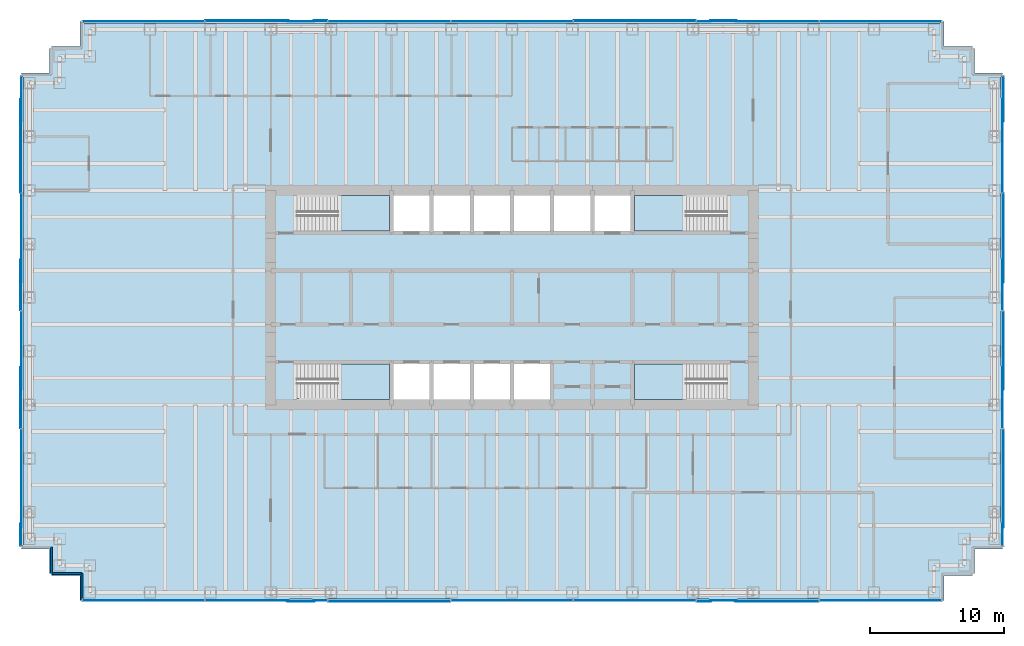
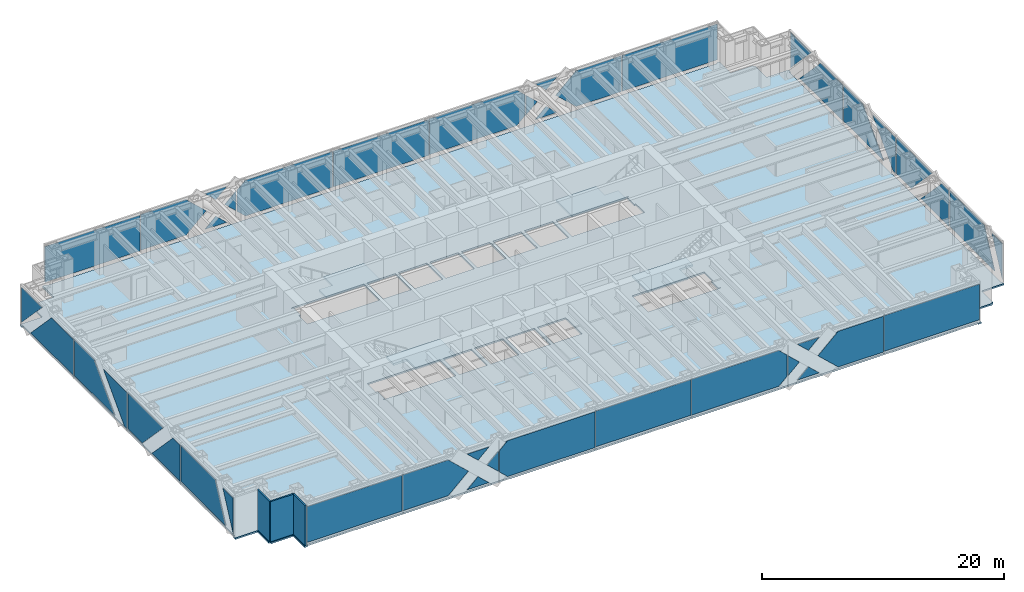
# One storey, part 9 of 15: 42 plates, 5 slabs, 3 walls, 8 elements without a shape of their own.
"""IFC4 building model written with IfcOpenShell, lengths in metres."""

from ifc_helpers import new_model, si_unit, direction, frame, frame_2d, origin, origin_2d, place, context, subcontext, project, spatial, polyline, rectangle, outline, extrude, material, layer, layer_set, type_object, element, aggregate, save


model = new_model("IFC4")

# Units and contexts
model_context = context("Model", 3, precision=1e-05, world=origin(), true_north=direction((0.0, 1.0)))
body_context = subcontext(model_context, "Body", "Model", "MODEL_VIEW")
ifc_project = project(units=[si_unit("LENGTHUNIT", "METRE"), si_unit("AREAUNIT", "SQUARE_METRE"), si_unit("VOLUMEUNIT", "CUBIC_METRE"), si_unit("PLANEANGLEUNIT", "RADIAN"), si_unit("MASSUNIT", "GRAM", prefix="KILO")], contexts=[model_context])

# Site, building, storey
site_placement = place(None, origin())
site = spatial("IfcSite", under=ifc_project, at=site_placement, CompositionType="ELEMENT")
building_placement = place(site_placement, origin())
building = spatial("IfcBuilding", under=site, at=building_placement, Name="Rheinbord Bourse Tower", CompositionType="ELEMENT")
storey_placement = place(building_placement, frame((0.0, 0.0, 257.199951171875)))
storey = spatial("IfcBuildingStorey", under=building, at=storey_placement, Name="L58", CompositionType="ELEMENT", Elevation=257.199951171875)

# Slab
ifc_material_1 = material(Name="Concrete C30/37", Category="concrete")
ifc_layer_1 = layer(ifc_material_1, 0.159912109375)
ifc_layer_set_1 = layer_set([ifc_layer_1], Name="COMPOSITE FLOOR SLAB 160")
slab_type_1 = type_object("IfcSlabType", Name="COMPOSITE FLOOR SLAB 160", PredefinedType="FLOOR", material=ifc_layer_set_1)
slab_1_placement = place(storey_placement, frame((0.0, 0.0, -0.159912109375)))
element("IfcSlab", 1, at=slab_1_placement, inside=storey, type_object=slab_type_1, Name="Floor slab L58", PredefinedType="FLOOR", context=body_context, shape_type="SweptSolid", body=[
    extrude(outline(polyline([(1.64990234375, 3.39990234375), (1.5, 3.39990234375), (1.5, 5.25), (-0.60009765625, 5.25), (-0.60009765625, 5.550048828125), (-0.5, 5.550048828125), (-0.5, 40.449951171875), (-0.60009765625, 40.449951171875), (-0.60009765625, 40.75), (1.5, 40.75), (1.5, 42.60009765625), (1.64990234375, 42.60009765625), (1.64990234375, 42.75), (3.75, 42.75), (3.75, 44.60009765625), (4.050048828125, 44.60009765625), (4.050048828125, 44.5), (67.949951171875, 44.5), (67.949951171875, 44.60009765625), (68.25, 44.60009765625), (68.25, 42.75), (70.35009765625, 42.75), (70.35009765625, 42.60009765625), (70.5, 42.60009765625), (70.5, 40.75), (72.60009765625, 40.75), (72.60009765625, 40.449951171875), (72.5, 40.449951171875), (72.5, 5.550048828125), (72.60009765625, 5.550048828125), (72.60009765625, 5.25), (70.5, 5.25), (70.5, 3.39990234375), (70.35009765625, 3.39990234375), (70.35009765625, 3.25), (68.25, 3.25), (68.25, 1.39990234375), (67.949951171875, 1.39990234375), (67.949951171875, 1.5), (4.050048828125, 1.5), (4.050048828125, 1.39990234375), (3.75, 1.39990234375), (3.75, 3.25), (1.64990234375, 3.25), (1.64990234375, 3.39990234375)]), holes=[polyline([(19.949951171875, 19.050048828125), (26.85009765625, 19.050048828125), (26.85009765625, 16.39990234375), (19.949951171875, 16.39990234375), (19.949951171875, 16.449951171875), (20.10009765625, 16.449951171875), (20.10009765625, 17.64990234375), (19.949951171875, 17.64990234375), (19.949951171875, 19.050048828125)]), polyline([(19.949951171875, 31.60009765625), (26.85009765625, 31.60009765625), (26.85009765625, 28.949951171875), (19.949951171875, 28.949951171875), (19.949951171875, 30.35009765625), (20.10009765625, 30.35009765625), (20.10009765625, 31.550048828125), (19.949951171875, 31.550048828125), (19.949951171875, 31.60009765625)]), polyline([(52.050048828125, 16.39990234375), (45.14990234375, 16.39990234375), (45.14990234375, 19.050048828125), (52.050048828125, 19.050048828125), (52.050048828125, 17.64990234375), (51.89990234375, 17.64990234375), (51.89990234375, 16.449951171875), (52.050048828125, 16.449951171875), (52.050048828125, 16.39990234375)]), polyline([(52.050048828125, 28.949951171875), (45.14990234375, 28.949951171875), (45.14990234375, 31.60009765625), (52.050048828125, 31.60009765625), (52.050048828125, 31.550048828125), (51.89990234375, 31.550048828125), (51.89990234375, 30.35009765625), (52.050048828125, 30.35009765625), (52.050048828125, 28.949951171875)]), polyline([(27.14990234375, 16.39990234375), (27.14990234375, 19.050048828125), (29.85009765625, 19.050048828125), (29.85009765625, 16.39990234375), (27.14990234375, 16.39990234375)]), polyline([(27.14990234375, 28.949951171875), (27.14990234375, 31.60009765625), (29.85009765625, 31.60009765625), (29.85009765625, 28.949951171875), (27.14990234375, 28.949951171875)]), polyline([(30.14990234375, 16.39990234375), (30.14990234375, 19.050048828125), (32.85009765625, 19.050048828125), (32.85009765625, 16.39990234375), (30.14990234375, 16.39990234375)]), polyline([(30.14990234375, 28.949951171875), (30.14990234375, 31.60009765625), (32.85009765625, 31.60009765625), (32.85009765625, 28.949951171875), (30.14990234375, 28.949951171875)]), polyline([(33.14990234375, 16.39990234375), (33.14990234375, 19.050048828125), (35.85009765625, 19.050048828125), (35.85009765625, 16.39990234375), (33.14990234375, 16.39990234375)]), polyline([(33.14990234375, 28.949951171875), (33.14990234375, 31.60009765625), (35.85009765625, 31.60009765625), (35.85009765625, 28.949951171875), (33.14990234375, 28.949951171875)]), polyline([(36.14990234375, 16.39990234375), (36.14990234375, 19.050048828125), (38.85009765625, 19.050048828125), (38.85009765625, 16.39990234375), (36.14990234375, 16.39990234375)]), polyline([(36.14990234375, 28.949951171875), (36.14990234375, 31.60009765625), (38.85009765625, 31.60009765625), (38.85009765625, 28.949951171875), (36.14990234375, 28.949951171875)]), polyline([(39.14990234375, 28.949951171875), (39.14990234375, 31.60009765625), (41.85009765625, 31.60009765625), (41.85009765625, 28.949951171875), (39.14990234375, 28.949951171875)]), polyline([(42.14990234375, 28.949951171875), (42.14990234375, 31.60009765625), (44.85009765625, 31.60009765625), (44.85009765625, 28.949951171875), (42.14990234375, 28.949951171875)])]), origin(), (0.0, 0.0, 1.0), 0.159912109375),
])

# Curtain wall, plates
ifc_material_2 = material(Name="Dark glass and black aluminium", Category="aluminium")
curtain_wall_type = type_object("IfcCurtainWallType", Name="CW2 DARK GLASS CURTAIN WALL", PredefinedType="USERDEFINED", material=ifc_material_2)
curtain_wall_1_placement = place(storey_placement, origin())
curtain_wall_1 = element("IfcCurtainWall", 2, at=curtain_wall_1_placement, inside=storey, type_object=curtain_wall_type, Name="Curtain wall CW2 S L58", ObjectType="UNITISED CURTAIN WALL", PredefinedType="USERDEFINED")
ifc_material_3 = material(Name="Dark tinted triple insulating glass", Category="glass")
ifc_layer_2 = layer(ifc_material_3, 0.050048828125)
ifc_layer_set_2 = layer_set([ifc_layer_2], Name="CW2 DARK GLASS PANEL")
plate_type = type_object("IfcPlateType", Name="CW2 DARK GLASS PANEL", PredefinedType="CURTAIN_PANEL", material=ifc_layer_set_2)
plate_1_placement = place(storey_placement, frame((8.503173828125, 1.39990234375, 0.300048828125), z_axis=(0.0, 0.0, 1.0), x_axis=(1.0, 0.0, 0.0)))
plate_1 = element("IfcPlate", 3, at=plate_1_placement, type_object=plate_type, Name="CW2 panel 1.1", PredefinedType="CURTAIN_PANEL", context=body_context, shape_type="SweptSolid", body=[
    extrude(rectangle(XDim=9.06640625, YDim=0.050048828125, at=origin_2d()), origin(), (0.0, 0.0, 1.0), 3.60009765625),
])
plate_2_placement = place(storey_placement, frame((36.0, 1.39990234375, 0.300048828125), z_axis=(0.0, 0.0, 1.0), x_axis=(1.0, 0.0, 0.0)))
plate_2 = element("IfcPlate", 4, at=plate_2_placement, type_object=plate_type, Name="CW2 panel 4.1", PredefinedType="CURTAIN_PANEL", context=body_context, shape_type="SweptSolid", body=[
    extrude(rectangle(XDim=9.101318359375, YDim=0.050048828125, at=origin_2d()), origin(), (0.0, 0.0, 1.0), 3.60009765625),
])
plate_3_placement = place(storey_placement, frame((63.496826171875, 1.39990234375, 0.300048828125), z_axis=(0.0, 0.0, 1.0), x_axis=(1.0, 0.0, 0.0)))
plate_3 = element("IfcPlate", 5, at=plate_3_placement, type_object=plate_type, Name="CW2 panel 7.1", PredefinedType="CURTAIN_PANEL", context=body_context, shape_type="SweptSolid", body=[
    extrude(rectangle(XDim=9.06640625, YDim=0.050048828125, at=origin_2d()), origin(), (0.0, 0.0, 1.0), 3.60009765625),
])
plate_4_placement = place(storey_placement, frame((13.10595703125, 1.375, 0.300048828125), z_axis=(0.0, 1.0, 0.0), x_axis=(0.0, 0.0, 1.0)))
plate_4 = element("IfcPlate", 6, at=plate_4_placement, type_object=plate_type, Name="CW2 glass facet 1", PredefinedType="CURTAIN_PANEL", context=body_context, shape_type="SweptSolid", body=[
    extrude(outline(polyline([(0.0, 0.0), (3.60009765625, 0.0), (3.60009765625, 4.3291015625), (1.800048828125, 6.257080078125), (0.0, 4.3291015625), (0.0, 0.0)])), origin(), (0.0, 0.0, 1.0), 0.050048828125),
])
plate_5_placement = place(storey_placement, frame((19.2080078125, 1.31982421875, 0.300048828125), z_axis=(0.0, 1.0, 0.0), x_axis=(0.731266046968, 0.0, 0.682092346059)))
plate_5 = element("IfcPlate", 7, at=plate_5_placement, type_object=plate_type, Name="CW2 glass facet 2", PredefinedType="CURTAIN_PANEL", context=body_context, shape_type="SweptSolid", body=[
    extrude(outline(polyline([(0.0, 0.0), (1.4248046875, 0.0), (1.52392578125, 1.42138671875), (0.0, 0.0)])), origin(), (0.0, 0.0, 1.0), 0.050048828125),
])
plate_6_placement = place(storey_placement, frame((21.2919921875, 1.31982421875, 3.900146484375), z_axis=(0.0, 1.0, 0.0), x_axis=(-0.731180589899, 0.0, -0.682183952431)))
plate_6 = element("IfcPlate", 8, at=plate_6_placement, type_object=plate_type, Name="CW2 glass facet 3", PredefinedType="CURTAIN_PANEL", context=body_context, shape_type="SweptSolid", body=[
    extrude(outline(polyline([(0.0, 0.0), (1.425048828125, 0.0), (1.523681640625, 1.421630859375), (0.0, 0.0)])), origin(), (0.0, 0.0, 1.0), 0.050048828125),
])
plate_7_placement = place(storey_placement, frame((22.2080078125, 1.375, 1.10009765625), z_axis=(0.0, 1.0, 0.0), x_axis=(-0.730933363576, 0.0, 0.682448839117)))
plate_7 = element("IfcPlate", 9, at=plate_7_placement, type_object=plate_type, Name="CW2 glass facet 4", PredefinedType="CURTAIN_PANEL", context=body_context, shape_type="SweptSolid", body=[
    extrude(outline(polyline([(0.0, 0.0), (1.46533203125, 0.0), (1.364990234375, 1.4619140625), (0.0, 0.0)])), origin(), (0.0, 0.0, 1.0), 0.050048828125),
])
plate_8_placement = place(storey_placement, frame((31.37890625, 1.31982421875, 3.900146484375), z_axis=(0.0, 1.0, 0.0), x_axis=(0.0, 0.0, -1.0)))
plate_8 = element("IfcPlate", 10, at=plate_8_placement, type_object=plate_type, Name="CW2 glass facet 1", PredefinedType="CURTAIN_PANEL", context=body_context, shape_type="SweptSolid", body=[
    extrude(outline(polyline([(0.0, 0.0), (3.60009765625, 0.0), (3.60009765625, 8.31396484375), (2.864990234375, 9.100830078125), (0.735107421875, 9.100830078125), (0.0, 8.31396484375), (0.0, 0.0)])), origin(), (0.0, 0.0, 1.0), 0.050048828125),
])
plate_9_placement = place(storey_placement, frame((40.62109375, 1.375, 0.300048828125), z_axis=(0.0, 1.0, 0.0), x_axis=(0.0, 0.0, 1.0)))
plate_9 = element("IfcPlate", 11, at=plate_9_placement, type_object=plate_type, Name="CW2 glass facet 1", PredefinedType="CURTAIN_PANEL", context=body_context, shape_type="SweptSolid", body=[
    extrude(outline(polyline([(0.0, 0.0), (3.60009765625, 0.0), (3.60009765625, 8.31396484375), (2.864990234375, 9.100830078125), (0.735107421875, 9.100830078125), (0.0, 8.31396484375), (0.0, 0.0)])), origin(), (0.0, 0.0, 1.0), 0.050048828125),
])
plate_10_placement = place(storey_placement, frame((49.7919921875, 1.31982421875, 3.10009765625), z_axis=(0.0, 1.0, 0.0), x_axis=(0.730933363576, 0.0, -0.682448839117)))
plate_10 = element("IfcPlate", 12, at=plate_10_placement, type_object=plate_type, Name="CW2 glass facet 1", PredefinedType="CURTAIN_PANEL", context=body_context, shape_type="SweptSolid", body=[
    extrude(outline(polyline([(0.0, 0.0), (1.46533203125, 0.0), (1.364990234375, 1.4619140625), (0.0, 0.0)])), origin(), (0.0, 0.0, 1.0), 0.050048828125),
])
plate_11_placement = place(storey_placement, frame((50.7080078125, 1.375, 0.300048828125), z_axis=(0.0, 1.0, 0.0), x_axis=(0.731266046968, 0.0, 0.682092346059)))
plate_11 = element("IfcPlate", 13, at=plate_11_placement, type_object=plate_type, Name="CW2 glass facet 2", PredefinedType="CURTAIN_PANEL", context=body_context, shape_type="SweptSolid", body=[
    extrude(outline(polyline([(0.0, 0.0), (1.4248046875, 0.0), (1.52392578125, 1.42138671875), (0.0, 0.0)])), origin(), (0.0, 0.0, 1.0), 0.050048828125),
])
plate_12_placement = place(storey_placement, frame((52.7919921875, 1.375, 3.900146484375), z_axis=(0.0, 1.0, 0.0), x_axis=(-0.731180589899, 0.0, -0.682183952431)))
plate_12 = element("IfcPlate", 14, at=plate_12_placement, type_object=plate_type, Name="CW2 glass facet 3", PredefinedType="CURTAIN_PANEL", context=body_context, shape_type="SweptSolid", body=[
    extrude(outline(polyline([(0.0, 0.0), (1.425048828125, 0.0), (1.523681640625, 1.421630859375), (0.0, 0.0)])), origin(), (0.0, 0.0, 1.0), 0.050048828125),
])
plate_13_placement = place(storey_placement, frame((58.89404296875, 1.31982421875, 3.900146484375), z_axis=(0.0, 1.0, 0.0), x_axis=(0.0, 0.0, -1.0)))
plate_13 = element("IfcPlate", 15, at=plate_13_placement, type_object=plate_type, Name="CW2 glass facet 4", PredefinedType="CURTAIN_PANEL", context=body_context, shape_type="SweptSolid", body=[
    extrude(outline(polyline([(0.0, 0.0), (3.60009765625, 0.0), (3.60009765625, 4.3291015625), (1.800048828125, 6.257080078125), (0.0, 4.3291015625), (0.0, 0.0)])), origin(), (0.0, 0.0, 1.0), 0.050048828125),
])
aggregate(curtain_wall_1, [plate_1, plate_2, plate_3, plate_4, plate_5, plate_6, plate_7, plate_8, plate_9, plate_10, plate_11, plate_12, plate_13])

curtain_wall_2_placement = place(storey_placement, origin())
curtain_wall_2 = element("IfcCurtainWall", 16, at=curtain_wall_2_placement, inside=storey, type_object=curtain_wall_type, Name="Curtain wall CW2 E L58", ObjectType="UNITISED CURTAIN WALL", PredefinedType="USERDEFINED")
plate_14_placement = place(storey_placement, frame((72.625, 5.469970703125, 0.300048828125), z_axis=(-1.0, 0.0, 0.0), x_axis=(0.0, 0.0, 1.0)))
plate_14 = element("IfcPlate", 17, at=plate_14_placement, type_object=plate_type, Name="CW2 glass facet 1", PredefinedType="CURTAIN_PANEL", context=body_context, shape_type="SweptSolid", body=[
    extrude(outline(polyline([(0.0, 0.0), (3.60009765625, 0.0), (3.60009765625, 1.717041015625), (0.0, 0.0029296875), (0.0, 0.0)])), origin(), (0.0, 0.0, 1.0), 0.050048828125),
])
plate_15_placement = place(storey_placement, frame((72.68017578125, 14.1650390625, 3.900146484375), z_axis=(-1.0, 0.0, 0.0), x_axis=(0.0, 0.0, -1.0)))
plate_15 = element("IfcPlate", 18, at=plate_15_placement, type_object=plate_type, Name="CW2 glass facet 2", PredefinedType="CURTAIN_PANEL", context=body_context, shape_type="SweptSolid", body=[
    extrude(outline(polyline([(0.0, 0.0), (3.60009765625, 0.0), (3.60009765625, 7.35205078125), (0.0, 5.637939453125), (0.0, 0.0)])), origin(), (0.0, 0.0, 1.0), 0.050048828125),
])
plate_16_placement = place(storey_placement, frame((72.625, 14.235107421875, 0.300048828125), z_axis=(-1.0, 0.0, 0.0), x_axis=(0.0, 0.0, 1.0)))
plate_16 = element("IfcPlate", 19, at=plate_16_placement, type_object=plate_type, Name="CW2 glass facet 1", PredefinedType="CURTAIN_PANEL", context=body_context, shape_type="SweptSolid", body=[
    extrude(outline(polyline([(0.0, 0.0), (3.60009765625, 0.0), (3.60009765625, 1.21484375), (0.0, 4.643798828125), (0.0, 0.0)])), origin(), (0.0, 0.0, 1.0), 0.050048828125),
])
plate_17_placement = place(storey_placement, frame((72.68017578125, 22.965087890625, 3.900146484375), z_axis=(-1.0, 0.0, 0.0), x_axis=(0.0, 0.0, -1.0)))
plate_17 = element("IfcPlate", 20, at=plate_17_placement, type_object=plate_type, Name="CW2 glass facet 2", PredefinedType="CURTAIN_PANEL", context=body_context, shape_type="SweptSolid", body=[
    extrude(outline(polyline([(0.0, 0.0), (3.60009765625, 0.0), (3.60009765625, 2.4150390625), (0.0, 5.843994140625), (0.0, 0.0)])), origin(), (0.0, 0.0, 1.0), 0.050048828125),
])
plate_18_placement = place(storey_placement, frame((72.625, 23.034912109375, 0.300048828125), z_axis=(-1.0, 0.0, 0.0), x_axis=(0.0, 0.0, 1.0)))
plate_18 = element("IfcPlate", 21, at=plate_18_placement, type_object=plate_type, Name="CW2 glass facet 1", PredefinedType="CURTAIN_PANEL", context=body_context, shape_type="SweptSolid", body=[
    extrude(outline(polyline([(0.0, 0.0), (3.60009765625, 0.0), (3.60009765625, 3.843994140625), (0.0, 0.4150390625), (0.0, 0.0)])), origin(), (0.0, 0.0, 1.0), 0.050048828125),
])
plate_19_placement = place(storey_placement, frame((72.68017578125, 31.764892578125, 3.900146484375), z_axis=(-1.0, 0.0, 0.0), x_axis=(0.0, 0.0, -1.0)))
plate_19 = element("IfcPlate", 22, at=plate_19_placement, type_object=plate_type, Name="CW2 glass facet 2", PredefinedType="CURTAIN_PANEL", context=body_context, shape_type="SweptSolid", body=[
    extrude(outline(polyline([(0.0, 0.0), (3.60009765625, 0.0), (3.60009765625, 6.643798828125), (0.0, 3.21484375), (0.0, 0.0)])), origin(), (0.0, 0.0, 1.0), 0.050048828125),
])
plate_20_placement = place(storey_placement, frame((72.625, 31.8349609375, 0.300048828125), z_axis=(-1.0, 0.0, 0.0), x_axis=(0.0, 0.0, 1.0)))
plate_20 = element("IfcPlate", 23, at=plate_20_placement, type_object=plate_type, Name="CW2 glass facet 1", PredefinedType="CURTAIN_PANEL", context=body_context, shape_type="SweptSolid", body=[
    extrude(outline(polyline([(0.0, 0.0), (3.60009765625, 0.0), (3.60009765625, 3.614990234375), (0.0, 7.0439453125), (0.0, 0.0)])), origin(), (0.0, 0.0, 1.0), 0.050048828125),
])
plate_21_placement = place(storey_placement, frame((72.68017578125, 40.530029296875, 3.900146484375), z_axis=(-1.0, 0.0, 0.0), x_axis=(0.0, 0.0, -1.0)))
plate_21 = element("IfcPlate", 24, at=plate_21_placement, type_object=plate_type, Name="CW2 glass facet 2", PredefinedType="CURTAIN_PANEL", context=body_context, shape_type="SweptSolid", body=[
    extrude(outline(polyline([(0.0, 0.0), (3.5791015625, 0.0), (0.0, 3.408935546875), (0.0, 0.0)])), origin(), (0.0, 0.0, 1.0), 0.050048828125),
])
aggregate(curtain_wall_2, [plate_14, plate_15, plate_16, plate_17, plate_18, plate_19, plate_20, plate_21])

curtain_wall_3_placement = place(storey_placement, origin())
curtain_wall_3 = element("IfcCurtainWall", 25, at=curtain_wall_3_placement, inside=storey, type_object=curtain_wall_type, Name="Curtain wall CW2 N L58", ObjectType="UNITISED CURTAIN WALL", PredefinedType="USERDEFINED")
plate_22_placement = place(storey_placement, frame((63.496826171875, 44.60009765625, 0.300048828125), z_axis=(0.0, 0.0, 1.0), x_axis=(-1.0, 0.0, 0.0)))
plate_22 = element("IfcPlate", 26, at=plate_22_placement, type_object=plate_type, Name="CW2 panel 1.1", PredefinedType="CURTAIN_PANEL", context=body_context, shape_type="SweptSolid", body=[
    extrude(rectangle(XDim=9.06640625, YDim=0.050048828125, at=origin_2d()), origin(), (0.0, 0.0, 1.0), 3.60009765625),
])
plate_23_placement = place(storey_placement, frame((36.0, 44.60009765625, 0.300048828125), z_axis=(0.0, 0.0, 1.0), x_axis=(-1.0, 0.0, 0.0)))
plate_23 = element("IfcPlate", 27, at=plate_23_placement, type_object=plate_type, Name="CW2 panel 4.1", PredefinedType="CURTAIN_PANEL", context=body_context, shape_type="SweptSolid", body=[
    extrude(rectangle(XDim=9.101318359375, YDim=0.050048828125, at=origin_2d()), origin(), (0.0, 0.0, 1.0), 3.60009765625),
])
plate_24_placement = place(storey_placement, frame((8.503173828125, 44.60009765625, 0.300048828125), z_axis=(0.0, 0.0, 1.0), x_axis=(-1.0, 0.0, 0.0)))
plate_24 = element("IfcPlate", 28, at=plate_24_placement, type_object=plate_type, Name="CW2 panel 7.1", PredefinedType="CURTAIN_PANEL", context=body_context, shape_type="SweptSolid", body=[
    extrude(rectangle(XDim=9.06640625, YDim=0.050048828125, at=origin_2d()), origin(), (0.0, 0.0, 1.0), 3.60009765625),
])
plate_25_placement = place(storey_placement, frame((58.89404296875, 44.625, 0.300048828125), z_axis=(0.0, -1.0, 0.0), x_axis=(0.0, 0.0, 1.0)))
plate_25 = element("IfcPlate", 29, at=plate_25_placement, type_object=plate_type, Name="CW2 glass facet 1", PredefinedType="CURTAIN_PANEL", context=body_context, shape_type="SweptSolid", body=[
    extrude(outline(polyline([(0.0, 0.0), (3.60009765625, 0.0), (3.60009765625, 4.3291015625), (1.800048828125, 6.257080078125), (0.0, 4.3291015625), (0.0, 0.0)])), origin(), (0.0, 0.0, 1.0), 0.050048828125),
])
plate_26_placement = place(storey_placement, frame((52.7919921875, 44.68017578125, 0.300048828125), z_axis=(0.0, -1.0, 0.0), x_axis=(-0.731266046968, 0.0, 0.682092346059)))
plate_26 = element("IfcPlate", 30, at=plate_26_placement, type_object=plate_type, Name="CW2 glass facet 2", PredefinedType="CURTAIN_PANEL", context=body_context, shape_type="SweptSolid", body=[
    extrude(outline(polyline([(0.0, 0.0), (1.4248046875, 0.0), (1.52392578125, 1.42138671875), (0.0, 0.0)])), origin(), (0.0, 0.0, 1.0), 0.050048828125),
])
plate_27_placement = place(storey_placement, frame((50.7080078125, 44.68017578125, 3.900146484375), z_axis=(0.0, -1.0, 0.0), x_axis=(0.731180589899, 0.0, -0.682183952431)))
plate_27 = element("IfcPlate", 31, at=plate_27_placement, type_object=plate_type, Name="CW2 glass facet 3", PredefinedType="CURTAIN_PANEL", context=body_context, shape_type="SweptSolid", body=[
    extrude(outline(polyline([(0.0, 0.0), (1.425048828125, 0.0), (1.523681640625, 1.421630859375), (0.0, 0.0)])), origin(), (0.0, 0.0, 1.0), 0.050048828125),
])
plate_28_placement = place(storey_placement, frame((49.7919921875, 44.625, 1.10009765625), z_axis=(0.0, -1.0, 0.0), x_axis=(0.730933363576, 0.0, 0.682448839117)))
plate_28 = element("IfcPlate", 32, at=plate_28_placement, type_object=plate_type, Name="CW2 glass facet 4", PredefinedType="CURTAIN_PANEL", context=body_context, shape_type="SweptSolid", body=[
    extrude(outline(polyline([(0.0, 0.0), (1.46533203125, 0.0), (1.364990234375, 1.4619140625), (0.0, 0.0)])), origin(), (0.0, 0.0, 1.0), 0.050048828125),
])
plate_29_placement = place(storey_placement, frame((40.62109375, 44.68017578125, 3.900146484375), z_axis=(0.0, -1.0, 0.0), x_axis=(0.0, 0.0, -1.0)))
plate_29 = element("IfcPlate", 33, at=plate_29_placement, type_object=plate_type, Name="CW2 glass facet 1", PredefinedType="CURTAIN_PANEL", context=body_context, shape_type="SweptSolid", body=[
    extrude(outline(polyline([(0.0, 0.0), (3.60009765625, 0.0), (3.60009765625, 8.31396484375), (2.864990234375, 9.100830078125), (0.735107421875, 9.100830078125), (0.0, 8.31396484375), (0.0, 0.0)])), origin(), (0.0, 0.0, 1.0), 0.050048828125),
])
plate_30_placement = place(storey_placement, frame((31.37890625, 44.625, 0.300048828125), z_axis=(0.0, -1.0, 0.0), x_axis=(0.0, 0.0, 1.0)))
plate_30 = element("IfcPlate", 34, at=plate_30_placement, type_object=plate_type, Name="CW2 glass facet 1", PredefinedType="CURTAIN_PANEL", context=body_context, shape_type="SweptSolid", body=[
    extrude(outline(polyline([(0.0, 0.0), (3.60009765625, 0.0), (3.60009765625, 8.31396484375), (2.864990234375, 9.100830078125), (0.735107421875, 9.100830078125), (0.0, 8.31396484375), (0.0, 0.0)])), origin(), (0.0, 0.0, 1.0), 0.050048828125),
])
plate_31_placement = place(storey_placement, frame((22.2080078125, 44.68017578125, 3.10009765625), z_axis=(0.0, -1.0, 0.0), x_axis=(-0.730933363576, 0.0, -0.682448839117)))
plate_31 = element("IfcPlate", 35, at=plate_31_placement, type_object=plate_type, Name="CW2 glass facet 1", PredefinedType="CURTAIN_PANEL", context=body_context, shape_type="SweptSolid", body=[
    extrude(outline(polyline([(0.0, 0.0), (1.46533203125, 0.0), (1.364990234375, 1.4619140625), (0.0, 0.0)])), origin(), (0.0, 0.0, 1.0), 0.050048828125),
])
plate_32_placement = place(storey_placement, frame((21.2919921875, 44.625, 0.300048828125), z_axis=(0.0, -1.0, 0.0), x_axis=(-0.731266046968, 0.0, 0.682092346059)))
plate_32 = element("IfcPlate", 36, at=plate_32_placement, type_object=plate_type, Name="CW2 glass facet 2", PredefinedType="CURTAIN_PANEL", context=body_context, shape_type="SweptSolid", body=[
    extrude(outline(polyline([(0.0, 0.0), (1.4248046875, 0.0), (1.52392578125, 1.42138671875), (0.0, 0.0)])), origin(), (0.0, 0.0, 1.0), 0.050048828125),
])
plate_33_placement = place(storey_placement, frame((19.2080078125, 44.625, 3.900146484375), z_axis=(0.0, -1.0, 0.0), x_axis=(0.731180589899, 0.0, -0.682183952431)))
plate_33 = element("IfcPlate", 37, at=plate_33_placement, type_object=plate_type, Name="CW2 glass facet 3", PredefinedType="CURTAIN_PANEL", context=body_context, shape_type="SweptSolid", body=[
    extrude(outline(polyline([(0.0, 0.0), (1.425048828125, 0.0), (1.523681640625, 1.421630859375), (0.0, 0.0)])), origin(), (0.0, 0.0, 1.0), 0.050048828125),
])
plate_34_placement = place(storey_placement, frame((13.10595703125, 44.68017578125, 3.900146484375), z_axis=(0.0, -1.0, 0.0), x_axis=(0.0, 0.0, -1.0)))
plate_34 = element("IfcPlate", 38, at=plate_34_placement, type_object=plate_type, Name="CW2 glass facet 4", PredefinedType="CURTAIN_PANEL", context=body_context, shape_type="SweptSolid", body=[
    extrude(outline(polyline([(0.0, 0.0), (3.60009765625, 0.0), (3.60009765625, 4.3291015625), (1.800048828125, 6.257080078125), (0.0, 4.3291015625), (0.0, 0.0)])), origin(), (0.0, 0.0, 1.0), 0.050048828125),
])
aggregate(curtain_wall_3, [plate_22, plate_23, plate_24, plate_25, plate_26, plate_27, plate_28, plate_29, plate_30, plate_31, plate_32, plate_33, plate_34])

curtain_wall_4_placement = place(storey_placement, origin())
curtain_wall_4 = element("IfcCurtainWall", 39, at=curtain_wall_4_placement, inside=storey, type_object=curtain_wall_type, Name="Curtain wall CW2 W L58", ObjectType="UNITISED CURTAIN WALL", PredefinedType="USERDEFINED")
plate_35_placement = place(storey_placement, frame((-0.625, 40.530029296875, 3.900146484375), z_axis=(1.0, 0.0, 0.0), x_axis=(0.0, -1.0, 0.0)))
plate_35 = element("IfcPlate", 40, at=plate_35_placement, type_object=plate_type, Name="CW2 glass facet 1", PredefinedType="CURTAIN_PANEL", context=body_context, shape_type="SweptSolid", body=[
    extrude(outline(polyline([(0.0, 0.0), (3.408935546875, 0.0), (0.0, 3.5791015625), (0.0, 0.0)])), origin(), (0.0, 0.0, 1.0), 0.050048828125),
])
plate_36_placement = place(storey_placement, frame((-0.68017578125, 31.8349609375, 3.900146484375), z_axis=(1.0, 0.0, 0.0), x_axis=(0.0, 0.0, -1.0)))
plate_36 = element("IfcPlate", 41, at=plate_36_placement, type_object=plate_type, Name="CW2 glass facet 2", PredefinedType="CURTAIN_PANEL", context=body_context, shape_type="SweptSolid", body=[
    extrude(outline(polyline([(0.0, 0.0), (3.60009765625, 0.0), (3.60009765625, 7.0439453125), (0.0, 3.614990234375), (0.0, 0.0)])), origin(), (0.0, 0.0, 1.0), 0.050048828125),
])
plate_37_placement = place(storey_placement, frame((-0.625, 31.764892578125, 0.300048828125), z_axis=(1.0, 0.0, 0.0), x_axis=(0.0, 0.0, 1.0)))
plate_37 = element("IfcPlate", 42, at=plate_37_placement, type_object=plate_type, Name="CW2 glass facet 1", PredefinedType="CURTAIN_PANEL", context=body_context, shape_type="SweptSolid", body=[
    extrude(outline(polyline([(0.0, 0.0), (3.60009765625, 0.0), (3.60009765625, 3.21484375), (0.0, 6.643798828125), (0.0, 0.0)])), origin(), (0.0, 0.0, 1.0), 0.050048828125),
])
plate_38_placement = place(storey_placement, frame((-0.68017578125, 23.034912109375, 3.900146484375), z_axis=(1.0, 0.0, 0.0), x_axis=(0.0, 0.0, -1.0)))
plate_38 = element("IfcPlate", 43, at=plate_38_placement, type_object=plate_type, Name="CW2 glass facet 2", PredefinedType="CURTAIN_PANEL", context=body_context, shape_type="SweptSolid", body=[
    extrude(outline(polyline([(0.0, 0.0), (3.60009765625, 0.0), (3.60009765625, 0.4150390625), (0.0, 3.843994140625), (0.0, 0.0)])), origin(), (0.0, 0.0, 1.0), 0.050048828125),
])
plate_39_placement = place(storey_placement, frame((-0.625, 22.965087890625, 0.300048828125), z_axis=(1.0, 0.0, 0.0), x_axis=(0.0, 0.0, 1.0)))
plate_39 = element("IfcPlate", 44, at=plate_39_placement, type_object=plate_type, Name="CW2 glass facet 1", PredefinedType="CURTAIN_PANEL", context=body_context, shape_type="SweptSolid", body=[
    extrude(outline(polyline([(0.0, 0.0), (3.60009765625, 0.0), (3.60009765625, 5.843994140625), (0.0, 2.4150390625), (0.0, 0.0)])), origin(), (0.0, 0.0, 1.0), 0.050048828125),
])
plate_40_placement = place(storey_placement, frame((-0.68017578125, 14.235107421875, 3.900146484375), z_axis=(1.0, 0.0, 0.0), x_axis=(0.0, 0.0, -1.0)))
plate_40 = element("IfcPlate", 45, at=plate_40_placement, type_object=plate_type, Name="CW2 glass facet 2", PredefinedType="CURTAIN_PANEL", context=body_context, shape_type="SweptSolid", body=[
    extrude(outline(polyline([(0.0, 0.0), (3.60009765625, 0.0), (3.60009765625, 4.643798828125), (0.0, 1.21484375), (0.0, 0.0)])), origin(), (0.0, 0.0, 1.0), 0.050048828125),
])
plate_41_placement = place(storey_placement, frame((-0.625, 14.1650390625, 0.300048828125), z_axis=(1.0, 0.0, 0.0), x_axis=(0.0, 0.0, 1.0)))
plate_41 = element("IfcPlate", 46, at=plate_41_placement, type_object=plate_type, Name="CW2 glass facet 1", PredefinedType="CURTAIN_PANEL", context=body_context, shape_type="SweptSolid", body=[
    extrude(outline(polyline([(0.0, 0.0), (3.60009765625, 0.0), (3.60009765625, 5.637939453125), (0.0, 7.35205078125), (0.0, 0.0)])), origin(), (0.0, 0.0, 1.0), 0.050048828125),
])
plate_42_placement = place(storey_placement, frame((-0.68017578125, 5.469970703125, 3.900146484375), z_axis=(1.0, 0.0, 0.0), x_axis=(0.0, 0.0, -1.0)))
plate_42 = element("IfcPlate", 47, at=plate_42_placement, type_object=plate_type, Name="CW2 glass facet 2", PredefinedType="CURTAIN_PANEL", context=body_context, shape_type="SweptSolid", body=[
    extrude(outline(polyline([(0.0, 0.0), (3.60009765625, 0.0), (3.60009765625, 0.0029296875), (0.0, 1.717041015625), (0.0, 0.0)])), origin(), (0.0, 0.0, 1.0), 0.050048828125),
])
aggregate(curtain_wall_4, [plate_35, plate_36, plate_37, plate_38, plate_39, plate_40, plate_41, plate_42])

# Stair, slab
ifc_material_4 = material(Name="Concrete C30/37", Category="concrete")
stair_type = type_object("IfcStairType", Name="CORE STAIR HALF TURN 4200", PredefinedType="HALF_TURN_STAIR", material=ifc_material_4)
stair_1_placement = place(storey_placement, origin())
stair_1 = element("IfcStair", 48, at=stair_1_placement, inside=storey, type_object=stair_type, Name="Stair ST1 L58, type CS6", PredefinedType="HALF_TURN_STAIR")
ifc_material_5 = material(Name="Concrete C30/37", Category="concrete")
ifc_layer_3 = layer(ifc_material_5, 0.199951171875)
ifc_layer_set_3 = layer_set([ifc_layer_3], Name="STAIR LANDING 200")
slab_type_2 = type_object("IfcSlabType", Name="STAIR LANDING 200", PredefinedType="LANDING", material=ifc_layer_set_3)
slab_2_placement = place(storey_placement, frame((0.0, 0.0, 1.900146484375)))
slab_2 = element("IfcSlab", 49, at=slab_2_placement, type_object=slab_type_2, Name="Half landing ST1 L58", PredefinedType="LANDING", context=body_context, shape_type="SweptSolid", body=[
    extrude(outline(polyline([(23.030029296875, 16.39990234375), (26.85009765625, 16.39990234375), (26.85009765625, 19.050048828125), (21.748046875, 19.050048828125), (21.748046875, 17.85009765625), (23.030029296875, 17.85009765625), (23.030029296875, 16.39990234375)])), origin(), (0.0, 0.0, 1.0), 0.199951171875),
])
aggregate(stair_1, [slab_2])

stair_2_placement = place(storey_placement, origin())
stair_2 = element("IfcStair", 50, at=stair_2_placement, inside=storey, type_object=stair_type, Name="Stair ST2 L58, type CS6", PredefinedType="HALF_TURN_STAIR")
slab_3_placement = place(storey_placement, frame((0.0, 0.0, 1.900146484375)))
slab_3 = element("IfcSlab", 51, at=slab_3_placement, type_object=slab_type_2, Name="Half landing ST2 L58", PredefinedType="LANDING", context=body_context, shape_type="SweptSolid", body=[
    extrude(outline(polyline([(21.748046875, 28.949951171875), (26.85009765625, 28.949951171875), (26.85009765625, 31.60009765625), (23.030029296875, 31.60009765625), (23.030029296875, 30.14990234375), (21.748046875, 30.14990234375), (21.748046875, 28.949951171875)])), origin(), (0.0, 0.0, 1.0), 0.199951171875),
])
aggregate(stair_2, [slab_3])

stair_3_placement = place(storey_placement, origin())
stair_3 = element("IfcStair", 52, at=stair_3_placement, inside=storey, type_object=stair_type, Name="Stair ST3 L58, type CS6", PredefinedType="HALF_TURN_STAIR")
slab_4_placement = place(storey_placement, frame((0.0, 0.0, 1.900146484375)))
slab_4 = element("IfcSlab", 53, at=slab_4_placement, type_object=slab_type_2, Name="Half landing ST3 L58", PredefinedType="LANDING", context=body_context, shape_type="SweptSolid", body=[
    extrude(outline(polyline([(45.14990234375, 16.39990234375), (48.969970703125, 16.39990234375), (48.969970703125, 17.85009765625), (50.251953125, 17.85009765625), (50.251953125, 19.050048828125), (45.14990234375, 19.050048828125), (45.14990234375, 16.39990234375)])), origin(), (0.0, 0.0, 1.0), 0.199951171875),
])
aggregate(stair_3, [slab_4])

stair_4_placement = place(storey_placement, origin())
stair_4 = element("IfcStair", 54, at=stair_4_placement, inside=storey, type_object=stair_type, Name="Stair ST4 L58, type CS6", PredefinedType="HALF_TURN_STAIR")
slab_5_placement = place(storey_placement, frame((0.0, 0.0, 1.900146484375)))
slab_5 = element("IfcSlab", 55, at=slab_5_placement, type_object=slab_type_2, Name="Half landing ST4 L58", PredefinedType="LANDING", context=body_context, shape_type="SweptSolid", body=[
    extrude(outline(polyline([(45.14990234375, 28.949951171875), (50.251953125, 28.949951171875), (50.251953125, 30.14990234375), (48.969970703125, 30.14990234375), (48.969970703125, 31.60009765625), (45.14990234375, 31.60009765625), (45.14990234375, 28.949951171875)])), origin(), (0.0, 0.0, 1.0), 0.199951171875),
])
aggregate(stair_4, [slab_5])

# Walls
ifc_material_6 = material(Name="Black metal rainscreen panel", Category="aluminium")
ifc_layer_4 = layer(ifc_material_6, 0.14990234375)
ifc_layer_set_4 = layer_set([ifc_layer_4], Name="CORNER PIER CLADDING 150")
wall_type = type_object("IfcWallType", Name="CORNER PIER CLADDING 150", PredefinedType="ELEMENTEDWALL", material=ifc_layer_set_4)
wall_1_placement = place(storey_placement, frame((1.64990234375, 5.39990234375, 0.0), z_axis=(0.0, 0.0, 1.0), x_axis=(0.0, -1.0, 0.0)))
element("IfcWall", 56, at=wall_1_placement, inside=storey, type_object=wall_type, Name="Corner pier cladding L58 18", PredefinedType="ELEMENTEDWALL", context=body_context, shape_type="SweptSolid", body=[
    extrude(rectangle(XDim=2.0, YDim=0.14990234375, at=frame_2d((1.0, 0.0))), origin(), (0.0, 0.0, 1.0), 4.0400390625),
])
wall_2_placement = place(storey_placement, frame((1.64990234375, 3.39990234375, 0.0), z_axis=(0.0, 0.0, 1.0), x_axis=(1.0, 0.0, 0.0)))
element("IfcWall", 57, at=wall_2_placement, inside=storey, type_object=wall_type, Name="Corner pier cladding L58 19", PredefinedType="ELEMENTEDWALL", context=body_context, shape_type="SweptSolid", body=[
    extrude(rectangle(XDim=2.25, YDim=0.14990234375, at=frame_2d((1.125, 0.0))), origin(), (0.0, 0.0, 1.0), 4.0400390625),
])
wall_3_placement = place(storey_placement, frame((3.89990234375, 3.39990234375, 0.0), z_axis=(0.0, 0.0, 1.0), x_axis=(0.0, -1.0, 0.0)))
element("IfcWall", 58, at=wall_3_placement, inside=storey, type_object=wall_type, Name="Corner pier cladding L58 20", PredefinedType="ELEMENTEDWALL", context=body_context, shape_type="SweptSolid", body=[
    extrude(rectangle(XDim=2.0, YDim=0.14990234375, at=frame_2d((1.0, 0.0))), origin(), (0.0, 0.0, 1.0), 4.0400390625),
])

save(model, "model.ifc")
